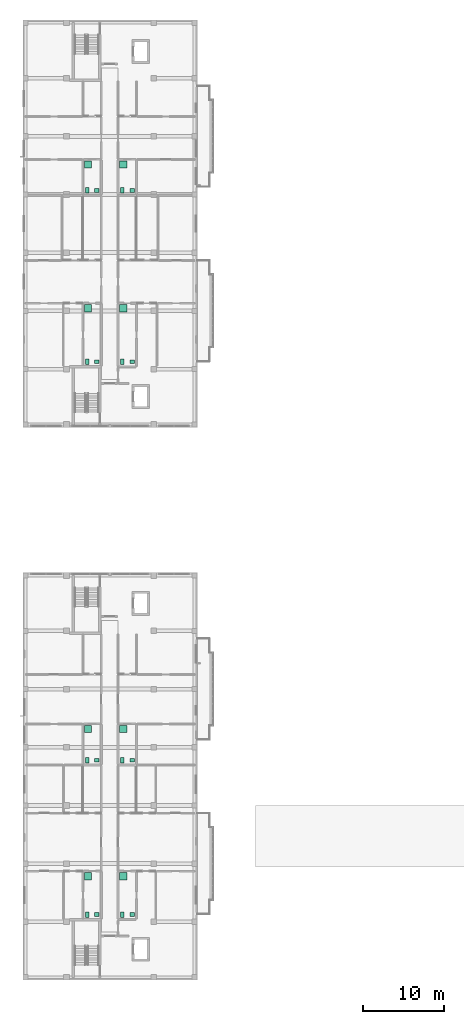
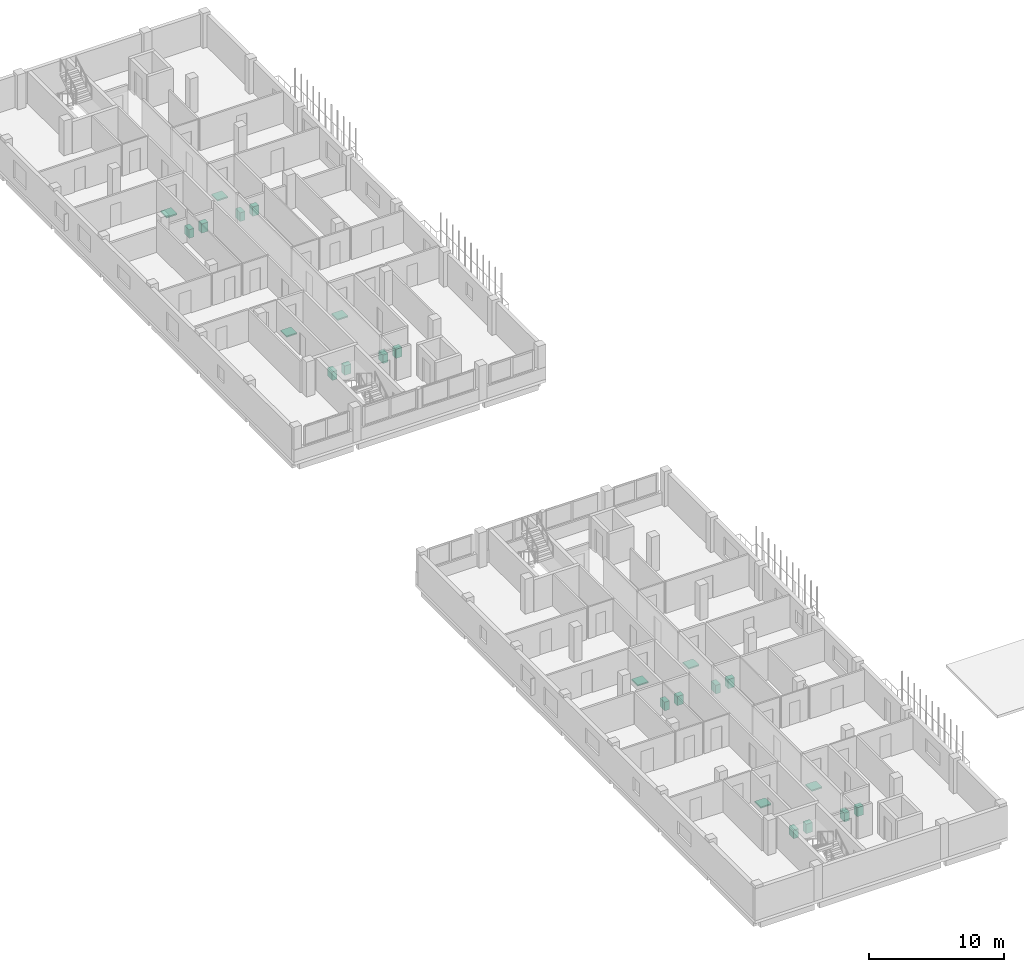
# One storey, part 50 of 51: 24 sanitary terminals.
"""IFC4 building model written with IfcOpenShell, lengths in metres."""

from ifc_helpers import new_model, si_unit, derived_unit, direction, frame, origin, origin_2d, place, context, subcontext, project, spatial, rectangle, extrude, material, type_object, element, save


model = new_model("IFC4")

# Units and contexts
model_context = context("Model", 3, precision=1e-05, world=origin(), true_north=direction((0.0, 1.0)))
body_context = subcontext(model_context, "Body", "Model", "MODEL_VIEW")
ifc_project = project(units=[si_unit("LENGTHUNIT", "METRE"), si_unit("AREAUNIT", "SQUARE_METRE"), si_unit("VOLUMEUNIT", "CUBIC_METRE"), si_unit("PLANEANGLEUNIT", "RADIAN"), si_unit("MASSUNIT", "GRAM", prefix="KILO"), derived_unit("THERMALTRANSMITTANCEUNIT", [(si_unit("MASSUNIT", "GRAM", prefix="KILO"), 1), (si_unit("TIMEUNIT", "SECOND"), -3), (si_unit("THERMODYNAMICTEMPERATUREUNIT", "KELVIN"), -1)])], contexts=[model_context])

# Site, building, storey
site_placement = place(None, origin())
site = spatial("IfcSite", under=ifc_project, at=site_placement, CompositionType="ELEMENT")
building_placement = place(site_placement, origin())
building = spatial("IfcBuilding", under=site, at=building_placement, Name="Ochrekiln Boulevard Commons", CompositionType="ELEMENT")
storey_placement = place(building_placement, frame((0.0, 0.0, 15.22509765625)))
storey = spatial("IfcBuildingStorey", under=building, at=storey_placement, Name="L04", CompositionType="ELEMENT", Elevation=15.22509765625)

# Sanitary terminals
ifc_material = material(Name="Vitreous china sanitaryware")
sanitary_terminal_type_1 = type_object("IfcSanitaryTerminalType", Name="SAN-BAS", PredefinedType="WASHHANDBASIN", material=ifc_material)
for number, where, z_axis, x_axis, name in (
    (1, (9.169921875, 76.5, 0.0), (0.0, 0.0, 1.0), (1.0, 0.0, 0.0), "L04 Washhand Basin Fixture"),
    (2, (9.169921875, 97.7099609375, 0.0), (0.0, 0.0, 1.0), (1.0, 0.0, 0.0), "L04 Washhand Basin Fixture"),
    (3, (13.530029296875, 76.5, 0.0), (0.0, 0.0, 1.0), (1.0, 0.0, 0.0), "L04 Washhand Basin Fixture"),
    (4, (13.530029296875, 97.7099609375, 0.0), (0.0, 0.0, 1.0), (1.0, 0.0, 0.0), "L04 Washhand Basin Fixture"),
    (5, (9.169921875, 8.10009765625, 0.0), (0.0, 0.0, 1.0), (1.0, 0.0, 0.0), "L04 Washhand Basin Fixture"),
    (6, (9.169921875, 27.197998046875, 0.0), (0.0, 0.0, 1.0), (1.0, 0.0, 0.0), "L04 Washhand Basin Fixture"),
    (7, (13.530029296875, 8.10009765625, 0.0), (0.0, 0.0, 1.0), (1.0, 0.0, 0.0), "L04 Washhand Basin Fixture"),
    (8, (13.530029296875, 27.197998046875, 0.0), (0.0, 0.0, 1.0), (1.0, 0.0, 0.0), "L04 Washhand Basin Fixture"),
):
    element("IfcSanitaryTerminal", number, at=place(storey_placement, frame(where, z_axis=z_axis, x_axis=x_axis)), inside=storey, type_object=sanitary_terminal_type_1, Name=name, PredefinedType="WASHHANDBASIN", context=body_context, shape_type="SweptSolid", body=[
        extrude(rectangle(XDim=0.550048828125, YDim=0.4599609375, at=origin_2d()), origin(), (0.0, 0.0, 1.0), 0.840087890625),
    ])
sanitary_terminal_type_2 = type_object("IfcSanitaryTerminalType", Name="SAN-SHW", PredefinedType="SHOWER", material=ifc_material)
for number, where, z_axis, x_axis, name in (
    (9, (8.070068359375, 83.1201171875, -0.000244140625), (0.0, 0.0, 1.0), (1.0, 0.0, 0.0), "L04 Shower Receptor"),
    (10, (8.070068359375, 100.9169921875, -0.000244140625), (0.0, 0.0, 1.0), (1.0, 0.0, 0.0), "L04 Shower Receptor"),
    (11, (12.429931640625, 83.1201171875, -0.000244140625), (0.0, 0.0, 1.0), (1.0, 0.0, 0.0), "L04 Shower Receptor"),
    (12, (12.429931640625, 100.9169921875, -0.000244140625), (0.0, 0.0, 1.0), (1.0, 0.0, 0.0), "L04 Shower Receptor"),
    (13, (8.070068359375, 12.8349609375, -0.000244140625), (0.0, 0.0, 1.0), (1.0, 0.0, 0.0), "L04 Shower Receptor"),
    (14, (8.070068359375, 31.06005859375, -0.000244140625), (0.0, 0.0, 1.0), (1.0, 0.0, 0.0), "L04 Shower Receptor"),
    (15, (12.429931640625, 12.8349609375, -0.000244140625), (0.0, 0.0, 1.0), (1.0, 0.0, 0.0), "L04 Shower Receptor"),
    (16, (12.429931640625, 31.06005859375, -0.000244140625), (0.0, 0.0, 1.0), (1.0, 0.0, 0.0), "L04 Shower Receptor"),
):
    element("IfcSanitaryTerminal", number, at=place(storey_placement, frame(where, z_axis=z_axis, x_axis=x_axis)), inside=storey, type_object=sanitary_terminal_type_2, Name=name, PredefinedType="SHOWER", context=body_context, shape_type="SweptSolid", body=[
        extrude(rectangle(XDim=0.89990234375, YDim=0.89990234375, at=origin_2d()), origin(), (0.0, 0.0, 1.0), 0.1201171875),
    ])
sanitary_terminal_type_3 = type_object("IfcSanitaryTerminalType", Name="SAN-WC", PredefinedType="TOILETPAN", material=ifc_material)
for number, where, z_axis, x_axis, name in (
    (17, (7.969970703125, 76.5, 0.0), (0.0, 0.0, 1.0), (1.0, 0.0, 0.0), "L04 Water Closet Fixture"),
    (18, (7.969970703125, 97.7099609375, 0.0), (0.0, 0.0, 1.0), (1.0, 0.0, 0.0), "L04 Water Closet Fixture"),
    (19, (12.330078125, 76.5, 0.0), (0.0, 0.0, 1.0), (1.0, 0.0, 0.0), "L04 Water Closet Fixture"),
    (20, (12.330078125, 97.7099609375, 0.0), (0.0, 0.0, 1.0), (1.0, 0.0, 0.0), "L04 Water Closet Fixture"),
    (21, (7.969970703125, 8.10009765625, 0.0), (0.0, 0.0, 1.0), (1.0, 0.0, 0.0), "L04 Water Closet Fixture"),
    (22, (7.969970703125, 27.197998046875, 0.0), (0.0, 0.0, 1.0), (1.0, 0.0, 0.0), "L04 Water Closet Fixture"),
    (23, (12.330078125, 8.10009765625, 0.0), (0.0, 0.0, 1.0), (1.0, 0.0, 0.0), "L04 Water Closet Fixture"),
    (24, (12.330078125, 27.197998046875, 0.0), (0.0, 0.0, 1.0), (1.0, 0.0, 0.0), "L04 Water Closet Fixture"),
):
    element("IfcSanitaryTerminal", number, at=place(storey_placement, frame(where, z_axis=z_axis, x_axis=x_axis)), inside=storey, type_object=sanitary_terminal_type_3, Name=name, PredefinedType="TOILETPAN", context=body_context, shape_type="SweptSolid", body=[
        extrude(rectangle(XDim=0.419921875, YDim=0.679931640625, at=origin_2d()), origin(), (0.0, 0.0, 1.0), 0.780029296875),
    ])

save(model, "model.ifc")
